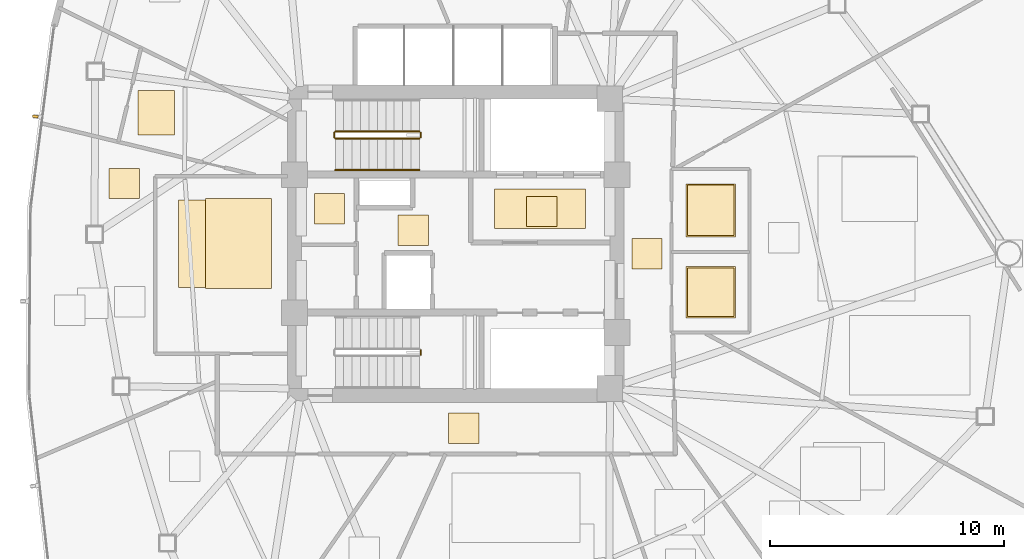
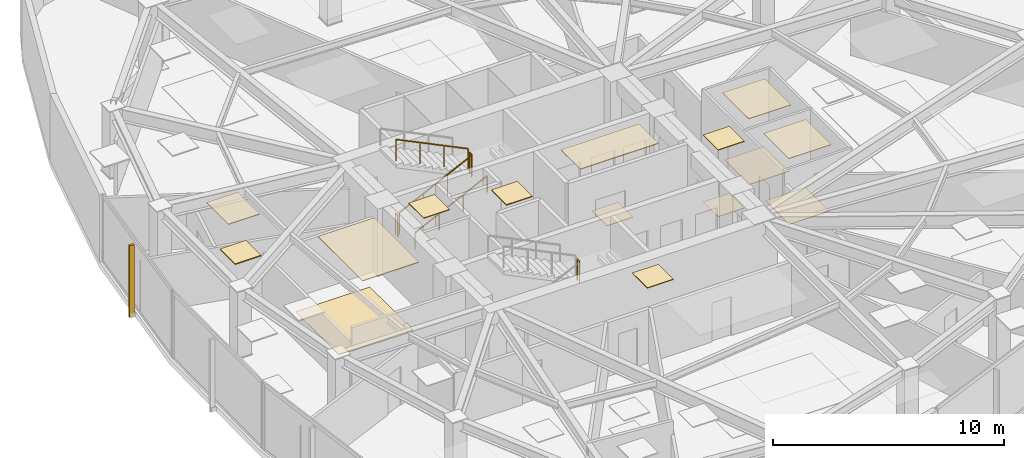
# One storey, part 15 of 17: 15 coverings, 6 railings, 1 shading device.
"""IFC4 building model written with IfcOpenShell, lengths in metres."""

from ifc_helpers import new_model, si_unit, direction, frame, origin, origin_2d, place, context, subcontext, project, spatial, polyline, rectangle, outline, extrude, source, transform, mapped, material, layer, layer_set, type_object, type_shapes, element, save


model = new_model("IFC4")

# Units and contexts
model_context = context("Model", 3, precision=1e-05, world=origin(), true_north=direction((0.0, 1.0)))
body_context = subcontext(model_context, "Body", "Model", "MODEL_VIEW")
ifc_project = project(units=[si_unit("LENGTHUNIT", "METRE"), si_unit("AREAUNIT", "SQUARE_METRE"), si_unit("VOLUMEUNIT", "CUBIC_METRE"), si_unit("PLANEANGLEUNIT", "RADIAN"), si_unit("MASSUNIT", "GRAM", prefix="KILO")], contexts=[model_context])

# Site, building, storey
site_placement = place(None, origin())
site = spatial("IfcSite", under=ifc_project, at=site_placement, CompositionType="ELEMENT")
building_placement = place(site_placement, origin())
building = spatial("IfcBuilding", under=site, at=building_placement, Name="Tavelor Broadcast Tower", CompositionType="ELEMENT")
storey_placement = place(building_placement, frame((0.0, 0.0, 142.550048828125)))
storey = spatial("IfcBuildingStorey", under=building, at=storey_placement, Name="L33", CompositionType="ELEMENT", Elevation=142.550048828125)

# Coverings
ifc_material_1 = material(Name="Copper-Bronze Anodized Aluminium", Category="aluminium")
ifc_layer_1 = layer(ifc_material_1, 0.044921875)
ifc_layer_set_1 = layer_set([ifc_layer_1], Name="Copper-Bronze Anodized Aluminium")
covering_type_1 = type_object("IfcCoveringType", Name="Anodised Bronze Linear Slatted Concourse Ceiling 45 mm", PredefinedType="CEILING", material=ifc_layer_set_1)
covering_1_placement = place(storey_placement, frame((0.0, 0.0, 3.5048828125)))
element("IfcCovering", 1, at=covering_1_placement, inside=storey, type_object=covering_type_1, Name="L33 Suspended Acoustic Ceiling 1334", PredefinedType="CEILING", context=body_context, shape_type="SweptSolid", body=[
    extrude(outline(polyline([(51.659912109375, 45.654296875), (55.55712890625, 45.654296875), (55.55712890625, 47.331787109375), (51.659912109375, 47.331787109375), (51.659912109375, 45.654296875)])), origin(), (0.0, 0.0, 1.0), 0.045166015625),
])
covering_2_placement = place(storey_placement, frame((0.0, 0.0, 3.5048828125)))
element("IfcCovering", 2, at=covering_2_placement, inside=storey, type_object=covering_type_1, Name="L33 Suspended Acoustic Ceiling 1335", PredefinedType="CEILING", context=body_context, shape_type="SweptSolid", body=[
    extrude(outline(polyline([(47.5400390625, 44.919921875), (48.840087890625, 44.919921875), (48.840087890625, 46.219970703125), (47.5400390625, 46.219970703125), (47.5400390625, 44.919921875)])), origin(), (0.0, 0.0, 1.0), 0.045166015625),
])

# Railing
ifc_material_2 = material(Name="Steel S355", Category="steel")
railing_type_1 = type_object("IfcRailingType", Name="Continuous Brushed Stainless Handrail 900 mm", PredefinedType="HANDRAIL", material=ifc_material_2)
railing_1_placement = place(storey_placement, frame((44.85009765625, 48.14990234375, 0.175048828125)))
element("IfcRailing", 3, at=railing_1_placement, inside=storey, type_object=railing_type_1, Name="L33 ST1 stair handrail 1", PredefinedType="HANDRAIL", context=body_context, shape_type="SweptSolid", body=[
    extrude(rectangle(XDim=0.048095703125, YDim=0.048095703125, at=origin_2d()), frame((0.0, 0.0, 0.8759765625), z_axis=(0.899360859046, 0.0, 0.437207096483), x_axis=(0.0, 1.0, 0.0)), (0.0, 0.0, 1.0), 4.002685546875),
    extrude(rectangle(XDim=0.0419921875, YDim=0.0419921875, at=origin_2d()), origin(), (0.0, 0.0, 1.0), 0.851806640625),
    extrude(rectangle(XDim=0.0419921875, YDim=0.0419921875, at=origin_2d()), frame((1.199951171875, 0.0, 0.583251953125)), (0.0, 0.0, 1.0), 0.851806640625),
    extrude(rectangle(XDim=0.0419921875, YDim=0.0419921875, at=origin_2d()), frame((2.39990234375, 0.0, 1.166748046875)), (0.0, 0.0, 1.0), 0.851806640625),
    extrude(rectangle(XDim=0.0419921875, YDim=0.0419921875, at=origin_2d()), frame((3.599853515625, 0.0, 1.75)), (0.0, 0.0, 1.0), 0.851806640625),
])

# Coverings
ifc_material_3 = material(Name="Architectural Anodized Aluminium", Category="aluminium")
ifc_layer_2 = layer(ifc_material_3, 0.034912109375)
ifc_layer_set_2 = layer_set([ifc_layer_2], Name="Architectural Anodized Aluminium")
covering_type_2 = type_object("IfcCoveringType", Name="Demountable Metal Tile Corridor Ceiling 35 mm", PredefinedType="CEILING", material=ifc_layer_set_2)
covering_3_placement = place(storey_placement, frame((0.0, 0.0, 3.514892578125)))
element("IfcCovering", 4, at=covering_3_placement, inside=storey, type_object=covering_type_2, Name="L33 Suspended Acoustic Ceiling 1337", PredefinedType="CEILING", context=body_context, shape_type="SweptSolid", body=[
    extrude(outline(polyline([(57.5400390625, 43.925048828125), (58.840087890625, 43.925048828125), (58.840087890625, 45.22509765625), (57.5400390625, 45.22509765625), (57.5400390625, 43.925048828125)])), origin(), (0.0, 0.0, 1.0), 0.03515625),
])
covering_4_placement = place(storey_placement, frame((0.0, 0.0, 3.514892578125)))
element("IfcCovering", 5, at=covering_4_placement, inside=storey, type_object=covering_type_2, Name="L33 Suspended Acoustic Ceiling 1338", PredefinedType="CEILING", context=body_context, shape_type="SweptSolid", body=[
    extrude(outline(polyline([(49.689208984375, 36.449951171875), (50.9892578125, 36.449951171875), (50.9892578125, 37.75), (49.689208984375, 37.75), (49.689208984375, 36.449951171875)])), origin(), (0.0, 0.0, 1.0), 0.03515625),
])
ifc_material_4 = material(Name="Acoustic Nylon Carpet Tile")
ifc_layer_3 = layer(ifc_material_4, 0.02001953125)
ifc_layer_set_3 = layer_set([ifc_layer_3], Name="Acoustic Nylon Carpet Tile")
covering_type_3 = type_object("IfcCoveringType", Name="Heavy-Duty Acoustic Broadcast Carpet Tile 20 mm", PredefinedType="FLOORING", material=ifc_layer_set_3)
covering_5_placement = place(storey_placement, origin())
element("IfcCovering", 6, at=covering_5_placement, inside=storey, type_object=covering_type_3, Name="L33 Broadcast Floor Finish 0463", PredefinedType="FLOORING", context=body_context, shape_type="SweptSolid", body=[
    extrude(outline(polyline([(57.5400390625, 43.925048828125), (58.840087890625, 43.925048828125), (58.840087890625, 45.22509765625), (57.5400390625, 45.22509765625), (57.5400390625, 43.925048828125)])), origin(), (0.0, 0.0, 1.0), 0.02001953125),
])
covering_6_placement = place(storey_placement, origin())
element("IfcCovering", 7, at=covering_6_placement, inside=storey, type_object=covering_type_3, Name="L33 Broadcast Floor Finish 0464", PredefinedType="FLOORING", context=body_context, shape_type="SweptSolid", body=[
    extrude(outline(polyline([(38.143798828125, 43.12890625), (41.856201171875, 43.12890625), (41.856201171875, 46.87060546875), (38.143798828125, 46.87060546875), (38.143798828125, 43.12890625)])), origin(), (0.0, 0.0, 1.0), 0.02001953125),
])
ifc_material_5 = material(Name="Honed Natural Limestone Tile", Category="masonry")
ifc_layer_4 = layer(ifc_material_5, 0.030029296875)
ifc_layer_set_4 = layer_set([ifc_layer_4], Name="Honed Natural Limestone Tile")
covering_type_4 = type_object("IfcCoveringType", Name="Honed Jerusalem Limestone Concourse Flooring 30 mm", PredefinedType="FLOORING", material=ifc_layer_set_4)
covering_7_placement = place(storey_placement, origin())
element("IfcCovering", 8, at=covering_7_placement, inside=storey, type_object=covering_type_4, Name="L33 Broadcast Floor Finish 0462", PredefinedType="FLOORING", context=body_context, shape_type="SweptSolid", body=[
    extrude(outline(polyline([(53.030029296875, 45.728515625), (54.330078125, 45.728515625), (54.330078125, 47.028564453125), (53.030029296875, 47.028564453125), (53.030029296875, 45.728515625)])), origin(), (0.0, 0.0, 1.0), 0.030029296875),
])
ifc_material_6 = material(Name="Acoustic Perforated Timber Baffle", Category="wood")
ifc_layer_5 = layer(ifc_material_6, 0.054931640625)
ifc_layer_set_5 = layer_set([ifc_layer_5], Name="Acoustic Perforated Timber Baffle")
covering_type_5 = type_object("IfcCoveringType", Name="Micro-Perforated Acoustic Baffle Studio Ceiling 55 mm", PredefinedType="CEILING", material=ifc_layer_set_5)
covering_8_placement = place(storey_placement, frame((0.0, 0.0, 3.494873046875)))
element("IfcCovering", 9, at=covering_8_placement, inside=storey, type_object=covering_type_5, Name="L33 Suspended Acoustic Ceiling 1360", PredefinedType="CEILING", context=body_context, shape_type="SweptSolid", body=[
    extrude(outline(polyline([(35.161865234375, 46.92236328125), (36.4619140625, 46.92236328125), (36.4619140625, 48.222412109375), (35.161865234375, 48.222412109375), (35.161865234375, 46.92236328125)])), origin(), (0.0, 0.0, 1.0), 0.05517578125),
])
ifc_layer_6 = layer(ifc_material_3, 0.030029296875)
ifc_layer_set_6 = layer_set([ifc_layer_6], Name="Architectural Anodized Aluminium")
covering_type_6 = type_object("IfcCoveringType", Name="Moisture-Resistant Washroom Ceiling 30 mm", PredefinedType="CEILING", material=ifc_layer_set_6)
covering_9_placement = place(storey_placement, frame((0.0, 0.0, 3.52001953125)))
element("IfcCovering", 10, at=covering_9_placement, inside=storey, type_object=covering_type_6, Name="L33 Suspended Acoustic Ceiling 1340", PredefinedType="CEILING", context=body_context, shape_type="SweptSolid", body=[
    extrude(outline(polyline([(59.85302734375, 41.828369140625), (61.967041015625, 41.828369140625), (61.967041015625, 44.021484375), (59.85302734375, 44.021484375), (59.85302734375, 41.828369140625)])), origin(), (0.0, 0.0, 1.0), 0.030029296875),
])
covering_10_placement = place(storey_placement, frame((0.0, 0.0, 3.52001953125)))
element("IfcCovering", 11, at=covering_10_placement, inside=storey, type_object=covering_type_6, Name="L33 Suspended Acoustic Ceiling 1341", PredefinedType="CEILING", context=body_context, shape_type="SweptSolid", body=[
    extrude(outline(polyline([(59.85302734375, 45.29248046875), (61.967041015625, 45.29248046875), (61.967041015625, 47.5576171875), (59.85302734375, 47.5576171875), (59.85302734375, 45.29248046875)])), origin(), (0.0, 0.0, 1.0), 0.030029296875),
])
ifc_material_7 = material(Name="Slip-Resistant Porcelain Tile")
ifc_layer_7 = layer(ifc_material_7, 0.02490234375)
ifc_layer_set_7 = layer_set([ifc_layer_7], Name="Slip-Resistant Porcelain Tile")
covering_type_7 = type_object("IfcCoveringType", Name="Slip-Resistant Porcelain Wet-Area Floor Tile 25 mm", PredefinedType="FLOORING", material=ifc_layer_set_7)
covering_11_placement = place(storey_placement, origin())
element("IfcCovering", 12, at=covering_11_placement, inside=storey, type_object=covering_type_7, Name="L33 Broadcast Floor Finish 0465", PredefinedType="FLOORING", context=body_context, shape_type="SweptSolid", body=[
    extrude(outline(polyline([(59.91064453125, 41.885986328125), (61.909423828125, 41.885986328125), (61.909423828125, 43.964111328125), (59.91064453125, 43.964111328125), (59.91064453125, 41.885986328125)])), origin(), (0.0, 0.0, 1.0), 0.02490234375),
])
covering_12_placement = place(storey_placement, origin())
element("IfcCovering", 13, at=covering_12_placement, inside=storey, type_object=covering_type_7, Name="L33 Broadcast Floor Finish 0466", PredefinedType="FLOORING", context=body_context, shape_type="SweptSolid", body=[
    extrude(outline(polyline([(59.91064453125, 45.35009765625), (61.909423828125, 45.35009765625), (61.909423828125, 47.5), (59.91064453125, 47.5), (59.91064453125, 45.35009765625)])), origin(), (0.0, 0.0, 1.0), 0.02490234375),
])

# Railings
railing_type_2 = type_object("IfcRailingType", Name="Stairwell Steel Safety Guardrail 1150 mm", PredefinedType="GUARDRAIL", material=ifc_material_2)
railing_2_placement = place(storey_placement, frame((44.85009765625, 49.5, 0.175048828125)))
element("IfcRailing", 14, at=railing_2_placement, inside=storey, type_object=railing_type_2, Name="L33 ST1 stair guard 1", PredefinedType="GUARDRAIL", context=body_context, shape_type="SweptSolid", body=[
    extrude(rectangle(XDim=0.048095703125, YDim=0.048095703125, at=origin_2d()), frame((0.0, 0.0, 1.1259765625), z_axis=(0.899360859046, 0.0, 0.437207096483), x_axis=(0.0, 1.0, 0.0)), (0.0, 0.0, 1.0), 4.002685546875),
    extrude(rectangle(XDim=0.0419921875, YDim=0.0419921875, at=origin_2d()), origin(), (0.0, 0.0, 1.0), 1.101806640625),
    extrude(rectangle(XDim=0.0419921875, YDim=0.0419921875, at=origin_2d()), frame((1.199951171875, 0.0, 0.583251953125)), (0.0, 0.0, 1.0), 1.101806640625),
    extrude(rectangle(XDim=0.0419921875, YDim=0.0419921875, at=origin_2d()), frame((2.39990234375, 0.0, 1.166748046875)), (0.0, 0.0, 1.0), 1.101806640625),
    extrude(rectangle(XDim=0.0419921875, YDim=0.0419921875, at=origin_2d()), frame((3.599853515625, 0.0, 1.75)), (0.0, 0.0, 1.0), 1.101806640625),
])
railing_3_placement = place(storey_placement, frame((48.5, 49.550048828125, 1.925048828125)))
element("IfcRailing", 15, at=railing_3_placement, inside=storey, type_object=railing_type_2, Name="L33 ST1 stair guard 2", PredefinedType="GUARDRAIL", context=body_context, shape_type="SweptSolid", body=[
    extrude(rectangle(XDim=0.048095703125, YDim=0.048095703125, at=origin_2d()), frame((0.0, 0.0, 1.1259765625), z_axis=(0.0, 1.0, 0.0), x_axis=(-1.0, 0.0, 0.0)), (0.0, 0.0, 1.0), 0.199951171875),
    extrude(rectangle(XDim=0.0419921875, YDim=0.0419921875, at=origin_2d()), origin(), (0.0, 0.0, 1.0), 1.101806640625),
    extrude(rectangle(XDim=0.0419921875, YDim=0.0419921875, at=origin_2d()), frame((0.0, 0.199951171875, 0.0)), (0.0, 0.0, 1.0), 1.101806640625),
])
railing_4_placement = place(storey_placement, frame((48.449951171875, 49.800048828125, 2.099853515625)))
element("IfcRailing", 16, at=railing_4_placement, inside=storey, type_object=railing_type_2, Name="L33 ST1 stair guard 3", PredefinedType="GUARDRAIL", context=body_context, shape_type="SweptSolid", body=[
    extrude(rectangle(XDim=0.048095703125, YDim=0.048095703125, at=origin_2d()), frame((0.0, 0.0, 1.1259765625), z_axis=(-0.899360859046, 0.0, 0.437207096483), x_axis=(0.0, -1.0, 0.0)), (0.0, 0.0, 1.0), 4.002685546875),
    extrude(rectangle(XDim=0.0419921875, YDim=0.0419921875, at=origin_2d()), origin(), (0.0, 0.0, 1.0), 1.101806640625),
    extrude(rectangle(XDim=0.0419921875, YDim=0.0419921875, at=origin_2d()), frame((-1.199951171875, 0.0, 0.583251953125)), (0.0, 0.0, 1.0), 1.101806640625),
    extrude(rectangle(XDim=0.0419921875, YDim=0.0419921875, at=origin_2d()), frame((-2.39990234375, 0.0, 1.166748046875)), (0.0, 0.0, 1.0), 1.101806640625),
    extrude(rectangle(XDim=0.0419921875, YDim=0.0419921875, at=origin_2d()), frame((-3.599853515625, 0.0, 1.75)), (0.0, 0.0, 1.0), 1.101806640625),
])
for number, where, name in (
    (17, (44.800048828125, 49.550048828125, 0.0), "L33 ST1 stair guard 4"),
    (18, (48.5, 40.25, 1.925048828125), "L33 ST2 stair guard 2"),
):
    element("IfcRailing", number, at=place(storey_placement, frame(where)), inside=storey, type_object=railing_type_2, Name=name, PredefinedType="GUARDRAIL", context=body_context, shape_type="SweptSolid", body=[
        extrude(rectangle(XDim=0.048095703125, YDim=0.048095703125, at=origin_2d()), frame((0.0, 0.0, 1.1259765625), z_axis=(0.0, 1.0, 0.0), x_axis=(-1.0, 0.0, 0.0)), (0.0, 0.0, 1.0), 0.199951171875),
        extrude(rectangle(XDim=0.0419921875, YDim=0.0419921875, at=origin_2d()), origin(), (0.0, 0.0, 1.0), 1.101806640625),
        extrude(rectangle(XDim=0.0419921875, YDim=0.0419921875, at=origin_2d()), frame((0.0, 0.199951171875, 0.0)), (0.0, 0.0, 1.0), 1.101806640625),
    ])

# Coverings
ifc_material_8 = material(Name="Acoustic Mineral Fibre Tile")
ifc_layer_8 = layer(ifc_material_8, 0.0400390625)
ifc_layer_set_8 = layer_set([ifc_layer_8], Name="Acoustic Mineral Fibre Tile")
covering_type_8 = type_object("IfcCoveringType", Name="Suspended Acoustic Mineral-Fibre Office Ceiling 40 mm", PredefinedType="CEILING", material=ifc_layer_set_8)
covering_13_placement = place(storey_placement, frame((0.0, 0.0, 3.510009765625)))
element("IfcCovering", 19, at=covering_13_placement, inside=storey, type_object=covering_type_8, Name="L33 Suspended Acoustic Ceiling 1336", PredefinedType="CEILING", context=body_context, shape_type="SweptSolid", body=[
    extrude(outline(polyline([(43.951416015625, 45.843017578125), (45.25146484375, 45.843017578125), (45.25146484375, 47.14306640625), (43.951416015625, 47.14306640625), (43.951416015625, 45.843017578125)])), origin(), (0.0, 0.0, 1.0), 0.0400390625),
])
covering_14_placement = place(storey_placement, frame((0.0, 0.0, 3.510009765625)))
element("IfcCovering", 20, at=covering_14_placement, inside=storey, type_object=covering_type_8, Name="L33 Suspended Acoustic Ceiling 1339", PredefinedType="CEILING", context=body_context, shape_type="SweptSolid", body=[
    extrude(outline(polyline([(39.2998046875, 43.0712890625), (42.111328125, 43.0712890625), (42.111328125, 46.927978515625), (39.2998046875, 46.927978515625), (39.2998046875, 43.0712890625)])), origin(), (0.0, 0.0, 1.0), 0.0400390625),
])
covering_15_placement = place(storey_placement, frame((0.0, 0.0, 3.510009765625)))
element("IfcCovering", 21, at=covering_15_placement, inside=storey, type_object=covering_type_8, Name="L33 Suspended Acoustic Ceiling 1375", PredefinedType="CEILING", context=body_context, shape_type="SweptSolid", body=[
    extrude(outline(polyline([(36.4111328125, 49.652587890625), (37.96630859375, 49.652587890625), (37.96630859375, 51.55078125), (36.4111328125, 51.55078125), (36.4111328125, 49.652587890625)])), origin(), (0.0, 0.0, 1.0), 0.0400390625),
])

# Shading device
ifc_material_9 = material(Name="Kiln-Fired Glazed Terracotta", Category="masonry")
shading_device_type = type_object("IfcShadingDeviceType", Name="Extruded Terracotta Baguette Sun-Screen 110x240", PredefinedType="JALOUSIE", material=ifc_material_9)
shared_shape = source(origin(), body_context, "Body", "SweptSolid", [
    extrude(rectangle(XDim=0.110107421875, YDim=0.239990234375, at=origin_2d()), origin(), (0.0, 0.0, 1.0), 3.7900390625),
])
type_shapes(shading_device_type, [shared_shape])
shading_device_placement = place(storey_placement, frame((32.01708984375, 50.442626953125, -0.260009765625), z_axis=(0.0, 0.0, 1.0), x_axis=(-0.1284494302, -0.991716060111, 0.0)))
element("IfcShadingDevice", 22, at=shading_device_placement, inside=storey, type_object=shading_device_type, Name="L33 Terracotta Baguette Fin 325", PredefinedType="JALOUSIE", context=body_context, shape_type="MappedRepresentation", body=[
    mapped(shared_shape, transform((0.0, 0.0, 0.0), scale=1.0)),
])

save(model, "model.ifc")
